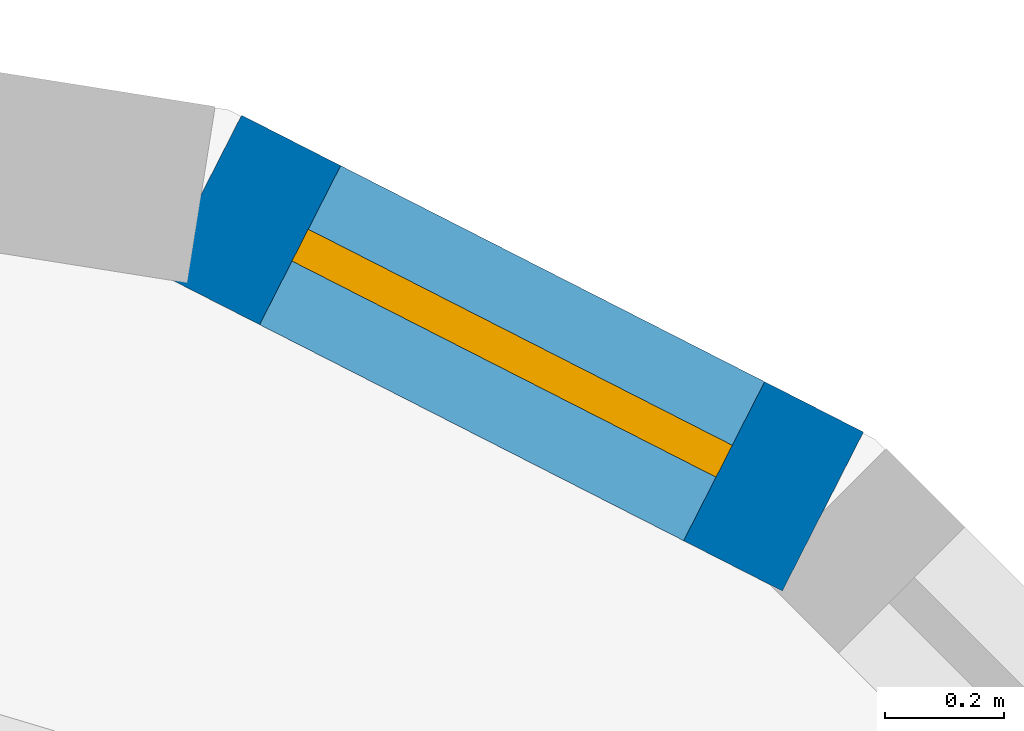
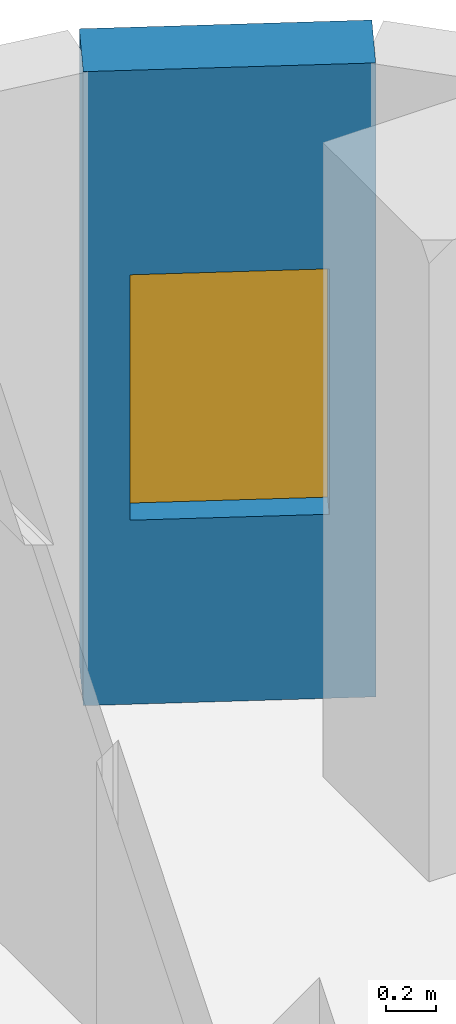
# One storey, part 10 of 14: 1 wall, 1 window, 1 opening.
"""IFC4 building model written with IfcOpenShell, lengths in metres."""

from ifc_helpers import new_model, si_unit, direction, frame, frame_2d, origin, place, context, subcontext, project, spatial, rectangle, extrude, material, layer, layer_set, type_object, element, fill, save


model = new_model("IFC4")

# Units and contexts
model_context = context("Model", 3, precision=1e-05, world=origin(), true_north=direction((0.0, 1.0)))
body_context = subcontext(model_context, "Body", "Model", "MODEL_VIEW")
ifc_project = project(units=[si_unit("LENGTHUNIT", "METRE"), si_unit("AREAUNIT", "SQUARE_METRE"), si_unit("VOLUMEUNIT", "CUBIC_METRE"), si_unit("PLANEANGLEUNIT", "RADIAN"), si_unit("MASSUNIT", "GRAM", prefix="KILO")], contexts=[model_context])

# Site, building, storey
site_placement = place(None, origin())
site = spatial("IfcSite", under=ifc_project, at=site_placement, CompositionType="ELEMENT")
building_placement = place(site_placement, origin())
building = spatial("IfcBuilding", under=site, at=building_placement, Name="Ludao Terraces", CompositionType="ELEMENT")
storey_placement = place(building_placement, frame((0.0, 0.0, 140.699951171875)))
storey = spatial("IfcBuildingStorey", under=building, at=storey_placement, Name="L38", CompositionType="ELEMENT", Elevation=140.699951171875)

# Wall, opening, window
ifc_material_1 = material(Name="Granite cladding", Category="masonry")
ifc_layer_1 = layer(ifc_material_1, 0.0400390625, Category="stone")
ifc_material_2 = material(Name="Mineral wool")
ifc_layer_2 = layer(ifc_material_2, 0.06005859375)
ifc_material_3 = material(Name="Concrete C40", Category="concrete")
ifc_layer_3 = layer(ifc_material_3, 0.199951171875, Category="concrete")
ifc_layer_set_1 = layer_set([ifc_layer_1, ifc_layer_2, ifc_layer_3], Name="ENV Stone-clad wall 300")
wall_type = type_object("IfcWallType", Name="ENV Stone-clad wall 300", PredefinedType="SOLIDWALL", material=ifc_layer_set_1)
wall_placement = place(storey_placement, frame((102.80419921875, 83.6337890625, 0.0), z_axis=(0.0, 0.0, 1.0), x_axis=(-0.890988677504, 0.454025524128, 0.0)))
wall = element("IfcWall", 1, at=wall_placement, inside=storey, type_object=wall_type, Name="EW-L38-NE4", PredefinedType="SOLIDWALL", context=body_context, shape_type="SweptSolid", body=[
    extrude(rectangle(XDim=1.17333984375, YDim=0.300048828125, at=frame_2d((0.586669921875, 0.0))), origin(), (0.0, 0.0, 1.0), 3.10009765625),
])
opening_placement = place(wall_placement, frame((0.1865234375, 0.0, 0.89990234375)))
opening = element("IfcOpeningElement", 2, at=opening_placement, cuts=wall, Name="Opening W3", PredefinedType="OPENING", context=body_context, shape_type="SweptSolid", body=[
    extrude(rectangle(XDim=0.800048828125, YDim=1.199951171875, at=frame_2d((0.39990234375, 0.60009765625))), frame((0.0, 0.16015625, 0.0), z_axis=(0.0, -1.0, 0.0), x_axis=(1.0, 0.0, 0.0)), (0.0, 0.0, 1.0), 0.320068359375),
])
ifc_material_4 = material(Name="Clear glass in aluminium frame", Category="aluminium")
ifc_layer_4 = layer(ifc_material_4, 0.06005859375)
ifc_layer_set_2 = layer_set([ifc_layer_4], Name="ENV Window W3 800x1200")
window_type = type_object("IfcWindowType", Name="ENV Window W3 800x1200", PartitioningType="SINGLE_PANEL", PredefinedType="WINDOW", material=ifc_layer_set_2)
window_placement = place(opening_placement, origin())
window = element("IfcWindow", 3, at=window_placement, inside=storey, type_object=window_type, Name="W-L38-NE4", OverallHeight=1.199951171875, OverallWidth=0.800048828125, PartitioningType="SINGLE_PANEL", PredefinedType="WINDOW", context=body_context, shape_type="SweptSolid", body=[
    extrude(rectangle(XDim=0.800048828125, YDim=1.199951171875, at=frame_2d((0.39990234375, 0.60009765625))), frame((0.0, 0.030029296875, 0.0), z_axis=(0.0, -1.0, 0.0), x_axis=(1.0, 0.0, 0.0)), (0.0, 0.0, 1.0), 0.06005859375),
])
fill(opening, window)

save(model, "model.ifc")
